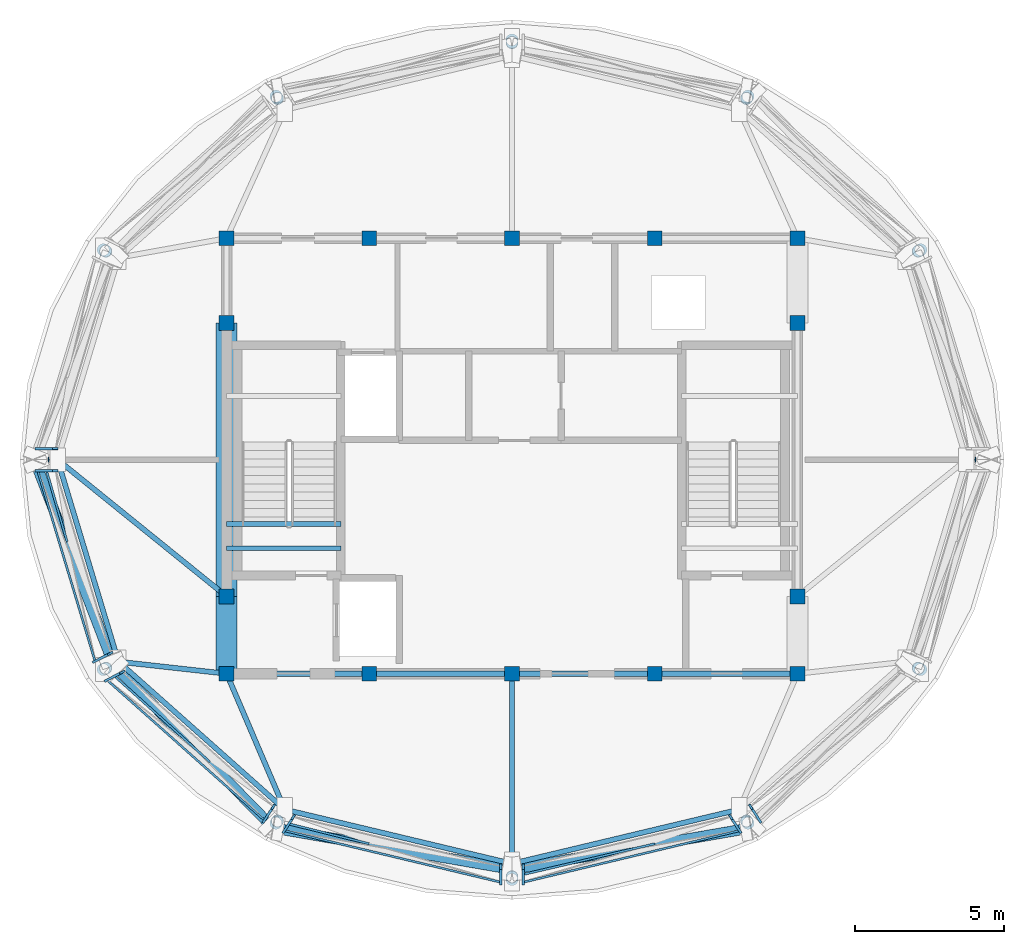
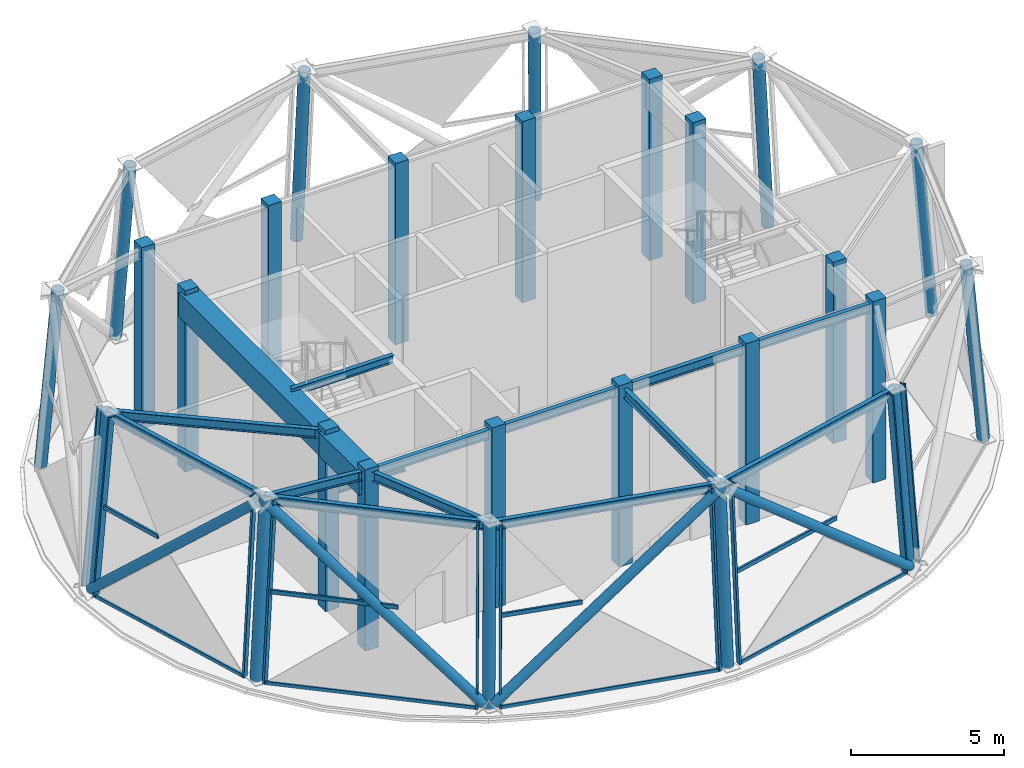
# One storey, part 1 of 9: 26 columns, 22 members, 16 beams, 6 elements without a shape of their own.
"""IFC4 building model written with IfcOpenShell, lengths in metres."""

from ifc_helpers import new_model, si_unit, direction, frame, origin, origin_2d, place, context, subcontext, project, spatial, rectangle, hollow_rectangle, hollow_circle, i_section, extrude, material, layer, layer_set, material_profile, profile_set, type_object, element, aggregate, save


model = new_model("IFC4")

# Units and contexts
model_context = context("Model", 3, precision=1e-05, world=origin(), true_north=direction((0.0, 1.0)))
body_context = subcontext(model_context, "Body", "Model", "MODEL_VIEW")
ifc_project = project(units=[si_unit("LENGTHUNIT", "METRE"), si_unit("AREAUNIT", "SQUARE_METRE"), si_unit("VOLUMEUNIT", "CUBIC_METRE"), si_unit("PLANEANGLEUNIT", "RADIAN"), si_unit("MASSUNIT", "GRAM", prefix="KILO")], contexts=[model_context])

# Site, building, storey
site_placement = place(None, origin())
site = spatial("IfcSite", under=ifc_project, at=site_placement, CompositionType="ELEMENT")
building_placement = place(site_placement, origin())
building = spatial("IfcBuilding", under=site, at=building_placement, Name="Vantalir Tower", CompositionType="ELEMENT")
storey_placement = place(building_placement, frame((0.0, 0.0, 319.0)))
storey = spatial("IfcBuildingStorey", under=building, at=storey_placement, Name="L78", CompositionType="ELEMENT", Elevation=319.0)

# Columns
ifc_material_1 = material(Name="Concrete C50/60", Category="concrete")
ifc_material_profile_1 = material_profile(ifc_material_1, rectangle(XDim=0.5, YDim=0.5, at=origin_2d()), Name="Concrete C50/60")
ifc_profile_set_1 = profile_set([ifc_material_profile_1], Name="Concrete C50/60")
column_type_1 = type_object("IfcColumnType", Name="COL-CC-500", PredefinedType="COLUMN", material=ifc_profile_set_1)
for number, where, z_axis, x_axis, name in (
    (1, (21.89990234375, 17.800048828125, 0.0), (0.0, 0.0, 1.0), (1.0, 0.0, 0.0), "L78 Core Column CC01"),
    (2, (26.699951171875, 17.800048828125, 0.0), (0.0, 0.0, 1.0), (1.0, 0.0, 0.0), "L78 Core Column CC02"),
    (3, (31.5, 17.800048828125, 0.0), (0.0, 0.0, 1.0), (1.0, 0.0, 0.0), "L78 Core Column CC03"),
    (4, (36.300048828125, 17.800048828125, 0.0), (0.0, 0.0, 1.0), (1.0, 0.0, 0.0), "L78 Core Column CC04"),
    (5, (41.10009765625, 17.800048828125, 0.0), (0.0, 0.0, 1.0), (1.0, 0.0, 0.0), "L78 Core Column CC05"),
    (6, (21.89990234375, 20.39990234375, 0.0), (0.0, 0.0, 1.0), (1.0, 0.0, 0.0), "L78 Core Column CC06"),
    (7, (21.89990234375, 29.60009765625, 0.0), (0.0, 0.0, 1.0), (1.0, 0.0, 0.0), "L78 Core Column CC07"),
    (8, (41.10009765625, 20.39990234375, 0.0), (0.0, 0.0, 1.0), (1.0, 0.0, 0.0), "L78 Core Column CC08"),
    (9, (41.10009765625, 29.60009765625, 0.0), (0.0, 0.0, 1.0), (1.0, 0.0, 0.0), "L78 Core Column CC09"),
    (10, (21.89990234375, 32.449951171875, 0.0), (0.0, 0.0, 1.0), (1.0, 0.0, 0.0), "L78 Core Column CC10"),
    (11, (26.699951171875, 32.449951171875, 0.0), (0.0, 0.0, 1.0), (1.0, 0.0, 0.0), "L78 Core Column CC11"),
    (12, (31.5, 32.449951171875, 0.0), (0.0, 0.0, 1.0), (1.0, 0.0, 0.0), "L78 Core Column CC12"),
    (13, (36.300048828125, 32.449951171875, 0.0), (0.0, 0.0, 1.0), (1.0, 0.0, 0.0), "L78 Core Column CC13"),
    (14, (41.10009765625, 32.449951171875, 0.0), (0.0, 0.0, 1.0), (1.0, 0.0, 0.0), "L78 Core Column CC14"),
):
    element("IfcColumn", number, at=place(storey_placement, frame(where, z_axis=z_axis, x_axis=x_axis)), inside=storey, type_object=column_type_1, Name=name, PredefinedType="COLUMN", context=body_context, shape_type="SweptSolid", body=[
        extrude(rectangle(XDim=0.5, YDim=0.5, at=origin_2d()), origin(), (0.0, 0.0, 1.0), 7.25),
    ])
ifc_material_2 = material(Name="Steel S460", Category="steel")
ifc_material_profile_2 = material_profile(ifc_material_2, hollow_circle(Radius=0.2099609375, WallThickness=0.02001953125, at=origin_2d()), Name="Steel S460")
ifc_profile_set_2 = profile_set([ifc_material_profile_2], Name="Steel S460")
column_type_2 = type_object("IfcColumnType", Name="COL-RC-420", PredefinedType="COLUMN", material=ifc_profile_set_2)
column_1_placement = place(storey_placement, frame((47.3759765625, 25.0, 0.0), z_axis=(-0.082866057213, 0.0, 0.996560693868), x_axis=(0.0, -1.0, 0.0)))
element("IfcColumn", 15, at=column_1_placement, inside=storey, type_object=column_type_2, Name="L78 Perimeter Ring Column RC01", PredefinedType="COLUMN", context=body_context, shape_type="SweptSolid", body=[
    extrude(hollow_circle(Radius=0.2099609375, WallThickness=0.02001953125, at=origin_2d()), origin(), (0.0, 0.0, 1.0), 7.094482421875),
])
column_2_placement = place(storey_placement, frame((45.2490234375, 32.05810546875, 0.0), z_axis=(-0.071763006078, -0.037103367171, 0.996731363559), x_axis=(0.459272239213, -0.888295564712, 0.0)))
element("IfcColumn", 16, at=column_2_placement, inside=storey, type_object=column_type_2, Name="L78 Perimeter Ring Column RC02", PredefinedType="COLUMN", context=body_context, shape_type="SweptSolid", body=[
    extrude(hollow_circle(Radius=0.2099609375, WallThickness=0.02001953125, at=origin_2d()), origin(), (0.0, 0.0, 1.0), 7.09326171875),
])
column_3_placement = place(storey_placement, frame((39.43798828125, 37.22509765625, 0.0), z_axis=(-0.041454496074, -0.064178721496, 0.997077036373), x_axis=(0.840005146283, -0.542578431398, 0.0)))
element("IfcColumn", 17, at=column_3_placement, inside=storey, type_object=column_type_2, Name="L78 Perimeter Ring Column RC03", PredefinedType="COLUMN", context=body_context, shape_type="SweptSolid", body=[
    extrude(hollow_circle(Radius=0.2099609375, WallThickness=0.02001953125, at=origin_2d()), origin(), (0.0, 0.0, 1.0), 7.0908203125),
])
column_4_placement = place(storey_placement, frame((31.5, 39.115966796875, 0.0), z_axis=(0.0, -0.074039123438, 0.997255337514), x_axis=(1.0, 0.0, 0.0)))
element("IfcColumn", 18, at=column_4_placement, inside=storey, type_object=column_type_2, Name="L78 Perimeter Ring Column RC04", PredefinedType="COLUMN", context=body_context, shape_type="SweptSolid", body=[
    extrude(hollow_circle(Radius=0.2099609375, WallThickness=0.02001953125, at=origin_2d()), origin(), (0.0, 0.0, 1.0), 7.089599609375),
])
column_5_placement = place(storey_placement, frame((23.56201171875, 37.22509765625, 0.0), z_axis=(0.041454496074, -0.064178721496, 0.997077036373), x_axis=(0.840005146283, 0.542578431398, 0.0)))
element("IfcColumn", 19, at=column_5_placement, inside=storey, type_object=column_type_2, Name="L78 Perimeter Ring Column RC05", PredefinedType="COLUMN", context=body_context, shape_type="SweptSolid", body=[
    extrude(hollow_circle(Radius=0.2099609375, WallThickness=0.02001953125, at=origin_2d()), origin(), (0.0, 0.0, 1.0), 7.0908203125),
])
column_6_placement = place(storey_placement, frame((17.7509765625, 32.05810546875, 0.0), z_axis=(0.071763006078, -0.037103367171, 0.996731363559), x_axis=(0.459272239213, 0.888295564712, 0.0)))
element("IfcColumn", 20, at=column_6_placement, inside=storey, type_object=column_type_2, Name="L78 Perimeter Ring Column RC06", PredefinedType="COLUMN", context=body_context, shape_type="SweptSolid", body=[
    extrude(hollow_circle(Radius=0.2099609375, WallThickness=0.02001953125, at=origin_2d()), origin(), (0.0, 0.0, 1.0), 7.09326171875),
])
column_7_placement = place(storey_placement, frame((15.6240234375, 25.0, 0.0), z_axis=(0.082866057213, 0.0, 0.996560693868), x_axis=(0.0, 1.0, 0.0)))
element("IfcColumn", 21, at=column_7_placement, inside=storey, type_object=column_type_2, Name="L78 Perimeter Ring Column RC07", PredefinedType="COLUMN", context=body_context, shape_type="SweptSolid", body=[
    extrude(hollow_circle(Radius=0.2099609375, WallThickness=0.02001953125, at=origin_2d()), origin(), (0.0, 0.0, 1.0), 7.094482421875),
])
column_8_placement = place(storey_placement, frame((17.7509765625, 17.94189453125, 0.0), z_axis=(0.071763371981, 0.036965880819, 0.996736445655), x_axis=(-0.457925957289, 0.888990336078, 0.0)))
element("IfcColumn", 22, at=column_8_placement, inside=storey, type_object=column_type_2, Name="L78 Perimeter Ring Column RC08", PredefinedType="COLUMN", context=body_context, shape_type="SweptSolid", body=[
    extrude(hollow_circle(Radius=0.2099609375, WallThickness=0.02001953125, at=origin_2d()), origin(), (0.0, 0.0, 1.0), 7.09326171875),
])
column_9_placement = place(storey_placement, frame((23.56201171875, 12.77490234375, 0.0), z_axis=(0.041454496074, 0.064178721496, 0.997077036373), x_axis=(-0.840005146283, 0.542578431398, 0.0)))
element("IfcColumn", 23, at=column_9_placement, inside=storey, type_object=column_type_2, Name="L78 Perimeter Ring Column RC09", PredefinedType="COLUMN", context=body_context, shape_type="SweptSolid", body=[
    extrude(hollow_circle(Radius=0.2099609375, WallThickness=0.02001953125, at=origin_2d()), origin(), (0.0, 0.0, 1.0), 7.0908203125),
])
column_10_placement = place(storey_placement, frame((31.5, 10.884033203125, 0.0), z_axis=(0.0, 0.074039123438, 0.997255337514), x_axis=(-1.0, 0.0, 0.0)))
element("IfcColumn", 24, at=column_10_placement, inside=storey, type_object=column_type_2, Name="L78 Perimeter Ring Column RC10", PredefinedType="COLUMN", context=body_context, shape_type="SweptSolid", body=[
    extrude(hollow_circle(Radius=0.2099609375, WallThickness=0.02001953125, at=origin_2d()), origin(), (0.0, 0.0, 1.0), 7.089599609375),
])
column_11_placement = place(storey_placement, frame((39.43798828125, 12.77490234375, 0.0), z_axis=(-0.041454496074, 0.064178721496, 0.997077036373), x_axis=(-0.840005146283, -0.542578431398, 0.0)))
element("IfcColumn", 25, at=column_11_placement, inside=storey, type_object=column_type_2, Name="L78 Perimeter Ring Column RC11", PredefinedType="COLUMN", context=body_context, shape_type="SweptSolid", body=[
    extrude(hollow_circle(Radius=0.2099609375, WallThickness=0.02001953125, at=origin_2d()), origin(), (0.0, 0.0, 1.0), 7.0908203125),
])
column_12_placement = place(storey_placement, frame((45.2490234375, 17.94189453125, 0.0), z_axis=(-0.071763371981, 0.036965880819, 0.996736445655), x_axis=(-0.457925957289, -0.888990336078, 0.0)))
element("IfcColumn", 26, at=column_12_placement, inside=storey, type_object=column_type_2, Name="L78 Perimeter Ring Column RC12", PredefinedType="COLUMN", context=body_context, shape_type="SweptSolid", body=[
    extrude(hollow_circle(Radius=0.2099609375, WallThickness=0.02001953125, at=origin_2d()), origin(), (0.0, 0.0, 1.0), 7.09326171875),
])

# Beams
ifc_material_3 = material(Name="Concrete C60/75", Category="concrete")
ifc_material_profile_3 = material_profile(ifc_material_3, rectangle(XDim=0.699951171875, YDim=0.949951171875, at=origin_2d()), Name="Concrete C60/75")
ifc_profile_set_3 = profile_set([ifc_material_profile_3], Name="Concrete C60/75")
beam_type_1 = type_object("IfcBeamType", Name="BM-CB-700x950", PredefinedType="USERDEFINED", material=ifc_profile_set_3)
beam_1_placement = place(storey_placement, frame((21.89990234375, 29.60009765625, 6.594970703125), z_axis=(0.0, -1.0, 0.0), x_axis=(1.0, 0.0, 0.0)))
element("IfcBeam", 27, at=beam_1_placement, inside=storey, type_object=beam_type_1, Name="L78 Core Coupling Girder 13", ObjectType="GIRDER", PredefinedType="USERDEFINED", context=body_context, shape_type="SweptSolid", body=[
    extrude(rectangle(XDim=0.699951171875, YDim=0.949951171875, at=origin_2d()), origin(), (0.0, 0.0, 1.0), 9.2001953125),
])
beam_2_placement = place(storey_placement, frame((21.89990234375, 20.39990234375, 6.594970703125), z_axis=(0.0, -1.0, 0.0), x_axis=(1.0, 0.0, 0.0)))
element("IfcBeam", 28, at=beam_2_placement, inside=storey, type_object=beam_type_1, Name="L78 Core Coupling Girder 14", ObjectType="GIRDER", PredefinedType="USERDEFINED", context=body_context, shape_type="SweptSolid", body=[
    extrude(rectangle(XDim=0.699951171875, YDim=0.949951171875, at=origin_2d()), origin(), (0.0, 0.0, 1.0), 2.599853515625),
])
ifc_material_4 = material(Name="Steel S355", Category="steel")
ifc_material_profile_4 = material_profile(ifc_material_4, i_section(OverallWidth=0.166015625, OverallDepth=0.306884765625, WebThickness=0.006591796875, FlangeThickness=0.01171875, at=origin_2d()), Name="Steel S355")
ifc_profile_set_4 = profile_set([ifc_material_profile_4], Name="Steel S355")
beam_type_2 = type_object("IfcBeamType", Name="BM-JS-305x165", PredefinedType="JOIST", material=ifc_profile_set_4)
for number, where, z_axis, x_axis, name in (
    (29, (21.89990234375, 22.8349609375, 7.095947265625), (1.0, 0.0, 0.0), (0.0, 1.0, 0.0), "L79 Stair ST1 Well Nosing Trimmer Beam"),
    (30, (21.89990234375, 22.02001953125, 3.27197265625), (1.0, 0.0, 0.0), (0.0, 1.0, 0.0), "L78 Stair ST1 Half-Landing Support Beam"),
):
    element("IfcBeam", number, at=place(storey_placement, frame(where, z_axis=z_axis, x_axis=x_axis)), inside=storey, type_object=beam_type_2, Name=name, PredefinedType="JOIST", context=body_context, shape_type="SweptSolid", body=[
        extrude(i_section(OverallWidth=0.166015625, OverallDepth=0.306884765625, WebThickness=0.006591796875, FlangeThickness=0.01171875, at=origin_2d()), origin(), (0.0, 0.0, 1.0), 3.840087890625),
    ])
ifc_material_profile_5 = material_profile(ifc_material_2, i_section(OverallWidth=0.172119140625, OverallDepth=0.35791015625, WebThickness=0.008056640625, FlangeThickness=0.012939453125, at=origin_2d()), Name="Steel S460")
ifc_profile_set_5 = profile_set([ifc_material_profile_5], Name="Steel S460")
beam_type_3 = type_object("IfcBeamType", Name="BM-RB-356x171", PredefinedType="BEAM", material=ifc_profile_set_5)
for number, where, z_axis, x_axis, name in (
    (31, (21.89990234375, 17.800048828125, 6.89111328125), (1.0, 0.0, 0.0), (0.0, 1.0, 0.0), "L78 Core Coupling Girder 01"),
    (32, (26.699951171875, 17.800048828125, 6.89111328125), (1.0, 0.0, 0.0), (0.0, 1.0, 0.0), "L78 Core Coupling Girder 02"),
    (33, (31.5, 17.800048828125, 6.89111328125), (1.0, 0.0, 0.0), (0.0, 1.0, 0.0), "L78 Core Coupling Girder 03"),
    (34, (36.300048828125, 17.800048828125, 6.89111328125), (1.0, 0.0, 0.0), (0.0, 1.0, 0.0), "L78 Core Coupling Girder 04"),
):
    element("IfcBeam", number, at=place(storey_placement, frame(where, z_axis=z_axis, x_axis=x_axis)), inside=storey, type_object=beam_type_3, Name=name, PredefinedType="BEAM", context=body_context, shape_type="SweptSolid", body=[
        extrude(i_section(OverallWidth=0.172119140625, OverallDepth=0.35791015625, WebThickness=0.008056640625, FlangeThickness=0.012939453125, at=origin_2d()), origin(), (0.0, 0.0, 1.0), 4.800048828125),
    ])
beam_3_placement = place(storey_placement, frame((16.2119140625, 25.0, 6.89111328125), z_axis=(0.28855311699, -0.957463888967, 0.0), x_axis=(0.957463888967, 0.28855311699, 0.0)))
element("IfcBeam", 35, at=beam_3_placement, inside=storey, type_object=beam_type_3, Name="L78 Circumferential Ring Girder 07", PredefinedType="BEAM", context=body_context, shape_type="SweptSolid", body=[
    extrude(i_section(OverallWidth=0.172119140625, OverallDepth=0.35791015625, WebThickness=0.008056640625, FlangeThickness=0.012939453125, at=origin_2d()), origin(), (0.0, 0.0, 1.0), 7.097900390625),
])
beam_4_placement = place(storey_placement, frame((16.2119140625, 25.0, 6.89111328125), z_axis=(0.777543227504, -0.628829491486, 0.0), x_axis=(0.628829491486, 0.777543227504, 0.0)))
element("IfcBeam", 36, at=beam_4_placement, inside=storey, type_object=beam_type_3, Name="L78 Radial Floor Beam 07", PredefinedType="BEAM", context=body_context, shape_type="SweptSolid", body=[
    extrude(i_section(OverallWidth=0.172119140625, OverallDepth=0.35791015625, WebThickness=0.008056640625, FlangeThickness=0.012939453125, at=origin_2d()), origin(), (0.0, 0.0, 1.0), 7.3154296875),
])
beam_5_placement = place(storey_placement, frame((18.260009765625, 18.2041015625, 6.89111328125), z_axis=(0.747412916821, -0.664359790904, 0.0), x_axis=(0.664359790904, 0.747412916821, 0.0)))
element("IfcBeam", 37, at=beam_5_placement, inside=storey, type_object=beam_type_3, Name="L78 Circumferential Ring Girder 08", PredefinedType="BEAM", context=body_context, shape_type="SweptSolid", body=[
    extrude(i_section(OverallWidth=0.172119140625, OverallDepth=0.35791015625, WebThickness=0.008056640625, FlangeThickness=0.012939453125, at=origin_2d()), origin(), (0.0, 0.0, 1.0), 7.487060546875),
])
beam_6_placement = place(storey_placement, frame((18.260009765625, 18.2041015625, 6.89111328125), z_axis=(0.993895111071, -0.110329090403, 0.0), x_axis=(0.110329090403, 0.993895111071, 0.0)))
element("IfcBeam", 38, at=beam_6_placement, inside=storey, type_object=beam_type_3, Name="L78 Radial Floor Beam 08", PredefinedType="BEAM", context=body_context, shape_type="SweptSolid", body=[
    extrude(i_section(OverallWidth=0.172119140625, OverallDepth=0.35791015625, WebThickness=0.008056640625, FlangeThickness=0.012939453125, at=origin_2d()), origin(), (0.0, 0.0, 1.0), 3.662353515625),
])
beam_7_placement = place(storey_placement, frame((23.85595703125, 13.22998046875, 6.89111328125), z_axis=(0.972776537622, -0.231745135552, 0.0), x_axis=(0.231745135552, 0.972776537622, 0.0)))
element("IfcBeam", 39, at=beam_7_placement, inside=storey, type_object=beam_type_3, Name="L78 Circumferential Ring Girder 09", PredefinedType="BEAM", context=body_context, shape_type="SweptSolid", body=[
    extrude(i_section(OverallWidth=0.172119140625, OverallDepth=0.35791015625, WebThickness=0.008056640625, FlangeThickness=0.012939453125, at=origin_2d()), origin(), (0.0, 0.0, 1.0), 7.85791015625),
])
beam_8_placement = place(storey_placement, frame((23.85595703125, 13.22998046875, 6.89111328125), z_axis=(-0.393486559938, 0.919330368882, 0.0), x_axis=(-0.919330368882, -0.393486559938, 0.0)))
element("IfcBeam", 40, at=beam_8_placement, inside=storey, type_object=beam_type_3, Name="L78 Radial Floor Beam 09", PredefinedType="BEAM", context=body_context, shape_type="SweptSolid", body=[
    extrude(i_section(OverallWidth=0.172119140625, OverallDepth=0.35791015625, WebThickness=0.008056640625, FlangeThickness=0.012939453125, at=origin_2d()), origin(), (0.0, 0.0, 1.0), 4.97119140625),
])
beam_9_placement = place(storey_placement, frame((31.5, 11.408935546875, 6.89111328125), z_axis=(0.972776537622, 0.231745135552, 0.0), x_axis=(-0.231745135552, 0.972776537622, 0.0)))
element("IfcBeam", 41, at=beam_9_placement, inside=storey, type_object=beam_type_3, Name="L78 Circumferential Ring Girder 10", PredefinedType="BEAM", context=body_context, shape_type="SweptSolid", body=[
    extrude(i_section(OverallWidth=0.172119140625, OverallDepth=0.35791015625, WebThickness=0.008056640625, FlangeThickness=0.012939453125, at=origin_2d()), origin(), (0.0, 0.0, 1.0), 7.85791015625),
])
beam_10_placement = place(storey_placement, frame((31.5, 11.408935546875, 6.89111328125), z_axis=(0.0, 1.0, 0.0), x_axis=(-1.0, 0.0, 0.0)))
element("IfcBeam", 42, at=beam_10_placement, inside=storey, type_object=beam_type_3, Name="L78 Radial Floor Beam 10", PredefinedType="BEAM", context=body_context, shape_type="SweptSolid", body=[
    extrude(i_section(OverallWidth=0.172119140625, OverallDepth=0.35791015625, WebThickness=0.008056640625, FlangeThickness=0.012939453125, at=origin_2d()), origin(), (0.0, 0.0, 1.0), 6.39111328125),
])

# Curtain wall, member
ifc_material_5 = material(Name="Champagne-silver PVDF aluminium and double-silver Low-E glass", Category="aluminium")
ifc_layer = layer(ifc_material_5, 0.25)
ifc_layer_set = layer_set([ifc_layer], Name="Champagne-silver PVDF aluminium and double-silver Low-E glass")
curtain_wall_type = type_object("IfcCurtainWallType", Name="CW-CROWN-PT", PredefinedType="USERDEFINED", material=ifc_layer_set)
curtain_wall_1_placement = place(storey_placement, origin())
curtain_wall_1 = element("IfcCurtainWall", 43, at=curtain_wall_1_placement, inside=storey, type_object=curtain_wall_type, Name="L78 Quilted Pyramid-Diamond Curtain Wall S06", ObjectType="UNITISED CURTAIN WALL", PredefinedType="USERDEFINED")
ifc_material_6 = material(Name="Champagne-silver PVDF aluminium 6063-T6", Category="aluminium")
ifc_material_profile_6 = material_profile(ifc_material_6, hollow_rectangle(XDim=0.080078125, YDim=0.199951171875, WallThickness=0.0048828125, at=origin_2d()), Name="Champagne-silver PVDF aluminium 6063-T6")
ifc_profile_set_6 = profile_set([ifc_material_profile_6], Name="Champagne-silver PVDF aluminium 6063-T6")
member_type_1 = type_object("IfcMemberType", Name="CWM-200x80", PredefinedType="MULLION", material=ifc_profile_set_6)
member_1_placement = place(storey_placement, frame((15.5458984375, 25.373046875, 0.044921875), z_axis=(0.083962699398, 0.0, 0.996468898215), x_axis=(0.0, 1.0, 0.0)))
member_1 = element("IfcMember", 44, at=member_1_placement, type_object=member_type_1, Name="CW-L78-S06 Mullion 2", PredefinedType="MULLION", context=body_context, shape_type="SweptSolid", body=[
    extrude(hollow_rectangle(XDim=0.080078125, YDim=0.199951171875, WallThickness=0.0048828125, at=origin_2d()), origin(), (0.0, 0.0, 1.0), 7.004638671875),
])
aggregate(curtain_wall_1, [member_1])

# Curtain wall, members
curtain_wall_2_placement = place(storey_placement, origin())
curtain_wall_2 = element("IfcCurtainWall", 45, at=curtain_wall_2_placement, inside=storey, type_object=curtain_wall_type, Name="L78 Quilted Pyramid-Diamond Curtain Wall S07", ObjectType="UNITISED CURTAIN WALL", PredefinedType="USERDEFINED")
member_2_placement = place(storey_placement, frame((15.5458984375, 24.626953125, 0.044921875), z_axis=(0.083962699398, 0.0, 0.996468898215), x_axis=(0.0, 1.0, 0.0)))
member_2 = element("IfcMember", 46, at=member_2_placement, type_object=member_type_1, Name="CW-L78-S07 Mullion 1", PredefinedType="MULLION", context=body_context, shape_type="SweptSolid", body=[
    extrude(hollow_rectangle(XDim=0.080078125, YDim=0.199951171875, WallThickness=0.0048828125, at=origin_2d()), origin(), (0.0, 0.0, 1.0), 7.004638671875),
])
member_3_placement = place(storey_placement, frame((17.47412109375, 18.219970703125, 0.044921875), z_axis=(0.0727875634, 0.03740472008, 0.996645803448), x_axis=(-0.457068866502, 0.889431307788, 0.0)))
member_3 = element("IfcMember", 47, at=member_3_placement, type_object=member_type_1, Name="CW-L78-S07 Mullion 2", PredefinedType="MULLION", context=body_context, shape_type="SweptSolid", body=[
    extrude(hollow_rectangle(XDim=0.080078125, YDim=0.199951171875, WallThickness=0.0048828125, at=origin_2d()), origin(), (0.0, 0.0, 1.0), 7.00341796875),
])

curtain_wall_3_placement = place(storey_placement, origin())
curtain_wall_3 = element("IfcCurtainWall", 48, at=curtain_wall_3_placement, inside=storey, type_object=curtain_wall_type, Name="L78 Quilted Pyramid-Diamond Curtain Wall S08", ObjectType="UNITISED CURTAIN WALL", PredefinedType="USERDEFINED")
member_4_placement = place(storey_placement, frame((17.876953125, 17.587890625, 0.044921875), z_axis=(0.072822143524, 0.037439436163, 0.996641973846), x_axis=(-0.457232575562, 0.889347160475, 0.0)))
member_4 = element("IfcMember", 49, at=member_4_placement, type_object=member_type_1, Name="CW-L78-S08 Mullion 1", PredefinedType="MULLION", context=body_context, shape_type="SweptSolid", body=[
    extrude(hollow_rectangle(XDim=0.080078125, YDim=0.199951171875, WallThickness=0.0048828125, at=origin_2d()), origin(), (0.0, 0.0, 1.0), 7.00341796875),
])
member_5_placement = place(storey_placement, frame((23.176025390625, 12.8701171875, 0.044921875), z_axis=(0.041986824775, 0.0648284944, 0.997012724522), x_axis=(-0.839339926536, 0.54360692391, 0.0)))
member_5 = element("IfcMember", 50, at=member_5_placement, type_object=member_type_1, Name="CW-L78-S08 Mullion 2", PredefinedType="MULLION", context=body_context, shape_type="SweptSolid", body=[
    extrude(hollow_rectangle(XDim=0.080078125, YDim=0.199951171875, WallThickness=0.0048828125, at=origin_2d()), origin(), (0.0, 0.0, 1.0), 7.0009765625),
])

curtain_wall_4_placement = place(storey_placement, origin())
curtain_wall_4 = element("IfcCurtainWall", 51, at=curtain_wall_4_placement, inside=storey, type_object=curtain_wall_type, Name="L78 Quilted Pyramid-Diamond Curtain Wall S09", ObjectType="UNITISED CURTAIN WALL", PredefinedType="USERDEFINED")
member_6_placement = place(storey_placement, frame((23.845947265625, 12.52001953125, 0.044921875), z_axis=(0.041986349537, 0.065002122538, 0.997001439577), x_axis=(-0.840005146283, 0.542578431398, 0.0)))
member_6 = element("IfcMember", 52, at=member_6_placement, type_object=member_type_1, Name="CW-L78-S09 Mullion 1", PredefinedType="MULLION", context=body_context, shape_type="SweptSolid", body=[
    extrude(hollow_rectangle(XDim=0.080078125, YDim=0.199951171875, WallThickness=0.0048828125, at=origin_2d()), origin(), (0.0, 0.0, 1.0), 7.0009765625),
])
member_7_placement = place(storey_placement, frame((31.12109375, 10.784912109375, 0.044921875), z_axis=(0.0, 0.07488532878, 0.997192151761), x_axis=(-1.0, 0.0, 0.0)))
member_7 = element("IfcMember", 53, at=member_7_placement, type_object=member_type_1, Name="CW-L78-S09 Mullion 2", PredefinedType="MULLION", context=body_context, shape_type="SweptSolid", body=[
    extrude(hollow_rectangle(XDim=0.080078125, YDim=0.199951171875, WallThickness=0.0048828125, at=origin_2d()), origin(), (0.0, 0.0, 1.0), 6.999755859375),
])

curtain_wall_5_placement = place(storey_placement, origin())
curtain_wall_5 = element("IfcCurtainWall", 54, at=curtain_wall_5_placement, inside=storey, type_object=curtain_wall_type, Name="L78 Quilted Pyramid-Diamond Curtain Wall S10", ObjectType="UNITISED CURTAIN WALL", PredefinedType="USERDEFINED")
member_8_placement = place(storey_placement, frame((31.87890625, 10.784912109375, 0.044921875), z_axis=(0.0, 0.07488532878, 0.997192151761), x_axis=(-1.0, 0.0, 0.0)))
member_8 = element("IfcMember", 55, at=member_8_placement, type_object=member_type_1, Name="CW-L78-S10 Mullion 1", PredefinedType="MULLION", context=body_context, shape_type="SweptSolid", body=[
    extrude(hollow_rectangle(XDim=0.080078125, YDim=0.199951171875, WallThickness=0.0048828125, at=origin_2d()), origin(), (0.0, 0.0, 1.0), 6.999755859375),
])
member_9_placement = place(storey_placement, frame((39.154052734375, 12.52001953125, 0.044921875), z_axis=(-0.041986349537, 0.065002122538, 0.997001439577), x_axis=(-0.840005146283, -0.542578431398, 0.0)))
member_9 = element("IfcMember", 56, at=member_9_placement, type_object=member_type_1, Name="CW-L78-S10 Mullion 2", PredefinedType="MULLION", context=body_context, shape_type="SweptSolid", body=[
    extrude(hollow_rectangle(XDim=0.080078125, YDim=0.199951171875, WallThickness=0.0048828125, at=origin_2d()), origin(), (0.0, 0.0, 1.0), 7.0009765625),
])

# Curtain wall, member
curtain_wall_6_placement = place(storey_placement, origin())
curtain_wall_6 = element("IfcCurtainWall", 57, at=curtain_wall_6_placement, inside=storey, type_object=curtain_wall_type, Name="L78 Quilted Pyramid-Diamond Curtain Wall S11", ObjectType="UNITISED CURTAIN WALL", PredefinedType="USERDEFINED")
member_10_placement = place(storey_placement, frame((39.823974609375, 12.8701171875, 0.044921875), z_axis=(-0.041986824775, 0.0648284944, 0.997012724522), x_axis=(-0.839339926536, -0.54360692391, 0.0)))
member_10 = element("IfcMember", 58, at=member_10_placement, type_object=member_type_1, Name="CW-L78-S11 Mullion 1", PredefinedType="MULLION", context=body_context, shape_type="SweptSolid", body=[
    extrude(hollow_rectangle(XDim=0.080078125, YDim=0.199951171875, WallThickness=0.0048828125, at=origin_2d()), origin(), (0.0, 0.0, 1.0), 7.0009765625),
])
aggregate(curtain_wall_6, [member_10])

# Member
ifc_material_profile_7 = material_profile(ifc_material_6, hollow_rectangle(XDim=0.070068359375, YDim=0.139892578125, WallThickness=0.00390625, at=origin_2d()), Name="Champagne-silver PVDF aluminium 6063-T6")
ifc_profile_set_7 = profile_set([ifc_material_profile_7], Name="Champagne-silver PVDF aluminium 6063-T6")
member_type_2 = type_object("IfcMemberType", Name="CWT-140x70", PredefinedType="USERDEFINED", material=ifc_profile_set_7)
member_11_placement = place(storey_placement, frame((15.5458984375, 24.626953125, 0.054931640625), z_axis=(0.288188020158, -0.957573843125, 0.0), x_axis=(0.957573843125, 0.288188020158, 0.0)))
member_11 = element("IfcMember", 59, at=member_11_placement, type_object=member_type_2, Name="CW-L78-S07 Sill Transom", ObjectType="TRANSOM", PredefinedType="USERDEFINED", context=body_context, shape_type="SweptSolid", body=[
    extrude(hollow_rectangle(XDim=0.070068359375, YDim=0.139892578125, WallThickness=0.00390625, at=origin_2d()), origin(), (0.0, 0.0, 1.0), 6.69091796875),
])

member_12_placement = place(storey_placement, frame((17.876953125, 17.587890625, 0.054931640625), z_axis=(0.746885093717, -0.664953123749, 0.0), x_axis=(0.664953123749, 0.746885093717, 0.0)))
member_12 = element("IfcMember", 60, at=member_12_placement, type_object=member_type_2, Name="CW-L78-S08 Sill Transom", ObjectType="TRANSOM", PredefinedType="USERDEFINED", context=body_context, shape_type="SweptSolid", body=[
    extrude(hollow_rectangle(XDim=0.070068359375, YDim=0.139892578125, WallThickness=0.00390625, at=origin_2d()), origin(), (0.0, 0.0, 1.0), 7.094970703125),
])

member_13_placement = place(storey_placement, frame((23.845947265625, 12.52001953125, 0.054931640625), z_axis=(0.972717882854, -0.231991207539, 0.0), x_axis=(0.231991207539, 0.972717882854, 0.0)))
member_13 = element("IfcMember", 61, at=member_13_placement, type_object=member_type_2, Name="CW-L78-S09 Sill Transom", ObjectType="TRANSOM", PredefinedType="USERDEFINED", context=body_context, shape_type="SweptSolid", body=[
    extrude(hollow_rectangle(XDim=0.070068359375, YDim=0.139892578125, WallThickness=0.00390625, at=origin_2d()), origin(), (0.0, 0.0, 1.0), 7.479248046875),
])

member_14_placement = place(storey_placement, frame((31.87890625, 10.784912109375, 0.054931640625), z_axis=(0.972717882854, 0.231991207539, 0.0), x_axis=(-0.231991207539, 0.972717882854, 0.0)))
member_14 = element("IfcMember", 62, at=member_14_placement, type_object=member_type_2, Name="CW-L78-S10 Sill Transom", ObjectType="TRANSOM", PredefinedType="USERDEFINED", context=body_context, shape_type="SweptSolid", body=[
    extrude(hollow_rectangle(XDim=0.070068359375, YDim=0.139892578125, WallThickness=0.00390625, at=origin_2d()), origin(), (0.0, 0.0, 1.0), 7.479248046875),
])

ifc_material_profile_8 = material_profile(ifc_material_6, hollow_rectangle(XDim=0.074951171875, YDim=0.159912109375, WallThickness=0.00390625, at=origin_2d()), Name="Champagne-silver PVDF aluminium 6063-T6")
ifc_profile_set_8 = profile_set([ifc_material_profile_8], Name="Champagne-silver PVDF aluminium 6063-T6")
member_type_3 = type_object("IfcMemberType", Name="CWT-160x75", PredefinedType="USERDEFINED", material=ifc_profile_set_8)
member_15_placement = place(storey_placement, frame((15.840087890625, 24.626953125, 3.534912109375), z_axis=(0.27891822413, -0.96031485683, 0.0), x_axis=(0.96031485683, 0.27891822413, 0.0)))
member_15 = element("IfcMember", 63, at=member_15_placement, type_object=member_type_3, Name="CW-L78-S07 Pyramid Fold Ridge Transom", ObjectType="TRANSOM", PredefinedType="USERDEFINED", context=body_context, shape_type="SweptSolid", body=[
    extrude(hollow_rectangle(XDim=0.074951171875, YDim=0.159912109375, WallThickness=0.00390625, at=origin_2d()), origin(), (0.0, 0.0, 1.0), 2.487548828125),
])

aggregate(curtain_wall_2, [member_2, member_3, member_11, member_15])

member_16_placement = place(storey_placement, frame((18.132080078125, 17.718994140625, 3.534912109375), z_axis=(0.743037654845, -0.669249612239, 0.0), x_axis=(0.669249612239, 0.743037654845, 0.0)))
member_16 = element("IfcMember", 64, at=member_16_placement, type_object=member_type_3, Name="CW-L78-S08 Pyramid Fold Ridge Transom", ObjectType="TRANSOM", PredefinedType="USERDEFINED", context=body_context, shape_type="SweptSolid", body=[
    extrude(hollow_rectangle(XDim=0.074951171875, YDim=0.159912109375, WallThickness=0.00390625, at=origin_2d()), origin(), (0.0, 0.0, 1.0), 4.307861328125),
])

aggregate(curtain_wall_3, [member_4, member_5, member_12, member_16])

member_17_placement = place(storey_placement, frame((23.992919921875, 12.7470703125, 3.534912109375), z_axis=(0.970738444916, -0.240139275343, 0.0), x_axis=(0.240139275343, 0.970738444916, 0.0)))
member_17 = element("IfcMember", 65, at=member_17_placement, type_object=member_type_3, Name="CW-L78-S09 Pyramid Fold Ridge Transom", ObjectType="TRANSOM", PredefinedType="USERDEFINED", context=body_context, shape_type="SweptSolid", body=[
    extrude(hollow_rectangle(XDim=0.074951171875, YDim=0.159912109375, WallThickness=0.00390625, at=origin_2d()), origin(), (0.0, 0.0, 1.0), 2.781494140625),
])

aggregate(curtain_wall_4, [member_6, member_7, member_13, member_17])

member_18_placement = place(storey_placement, frame((31.87890625, 11.047119140625, 3.534912109375), z_axis=(0.973900192534, 0.226976683787, 0.0), x_axis=(-0.226976683787, 0.973900192534, 0.0)))
member_18 = element("IfcMember", 66, at=member_18_placement, type_object=member_type_3, Name="CW-L78-S10 Pyramid Fold Ridge Transom", ObjectType="TRANSOM", PredefinedType="USERDEFINED", context=body_context, shape_type="SweptSolid", body=[
    extrude(hollow_rectangle(XDim=0.074951171875, YDim=0.159912109375, WallThickness=0.00390625, at=origin_2d()), origin(), (0.0, 0.0, 1.0), 4.546630859375),
])

aggregate(curtain_wall_5, [member_8, member_9, member_14, member_18])

# Members
ifc_material_profile_9 = material_profile(ifc_material_2, hollow_circle(Radius=0.177490234375, WallThickness=0.02001953125, at=origin_2d()), Name="Steel S460")
ifc_profile_set_9 = profile_set([ifc_material_profile_9], Name="Steel S460")
member_type_4 = type_object("IfcMemberType", Name="MEM-DB-355x20", PredefinedType="BRACE", material=ifc_profile_set_9)
member_19_placement = place(storey_placement, frame((15.491943359375, 24.85009765625, 0.22998046875), z_axis=(0.263149104863, -0.681200151882, 0.683168282113), x_axis=(0.932817404899, 0.360349398663, 0.0)))
element("IfcMember", 67, at=member_19_placement, inside=storey, type_object=member_type_4, Name="L78 CROWN FRAME Diagrid Brace R19L", PredefinedType="BRACE", context=body_context, shape_type="SweptSolid", body=[
    extrude(hollow_circle(Radius=0.177490234375, WallThickness=0.02001953125, at=origin_2d()), origin(), (0.0, 0.0, 1.0), 9.67578125),
])
member_20_placement = place(storey_placement, frame((23.632080078125, 12.58203125, 0.221923828125), z_axis=(0.751661730699, -0.130172726587, 0.646575365952), x_axis=(0.170639977932, 0.985333445049, 0.0)))
element("IfcMember", 68, at=member_20_placement, inside=storey, type_object=member_type_4, Name="L78 CROWN FRAME Diagrid Brace R25L", PredefinedType="BRACE", context=body_context, shape_type="SweptSolid", body=[
    extrude(hollow_circle(Radius=0.177490234375, WallThickness=0.02001953125, at=origin_2d()), origin(), (0.0, 0.0, 1.0), 10.247802734375),
])
member_21_placement = place(storey_placement, frame((23.35302734375, 12.72802734375, 0.22705078125), z_axis=(-0.519711258178, 0.531923214544, 0.668549102125), x_axis=(-0.715269734216, -0.698848486665, 0.0)))
element("IfcMember", 69, at=member_21_placement, inside=storey, type_object=member_type_4, Name="L78 CROWN FRAME Diagrid Brace R25R", PredefinedType="BRACE", context=body_context, shape_type="SweptSolid", body=[
    extrude(hollow_circle(Radius=0.177490234375, WallThickness=0.02001953125, at=origin_2d()), origin(), (0.0, 0.0, 1.0), 9.89599609375),
])
member_22_placement = place(storey_placement, frame((39.367919921875, 12.58203125, 0.221923828125), z_axis=(-0.751661730699, -0.130172726587, 0.646575365952), x_axis=(0.170639977932, -0.985333445049, 0.0)))
element("IfcMember", 70, at=member_22_placement, inside=storey, type_object=member_type_4, Name="L78 CROWN FRAME Diagrid Brace R31R", PredefinedType="BRACE", context=body_context, shape_type="SweptSolid", body=[
    extrude(hollow_circle(Radius=0.177490234375, WallThickness=0.02001953125, at=origin_2d()), origin(), (0.0, 0.0, 1.0), 10.247802734375),
])

save(model, "model.ifc")
